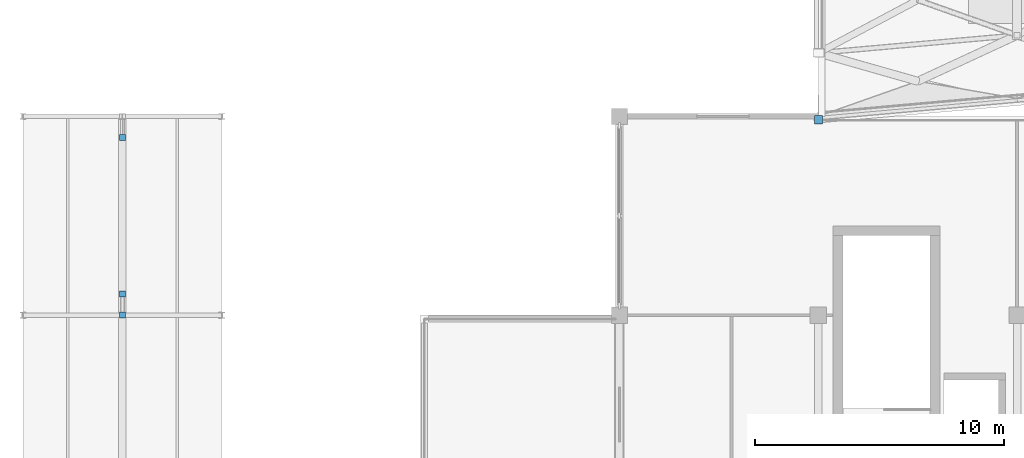
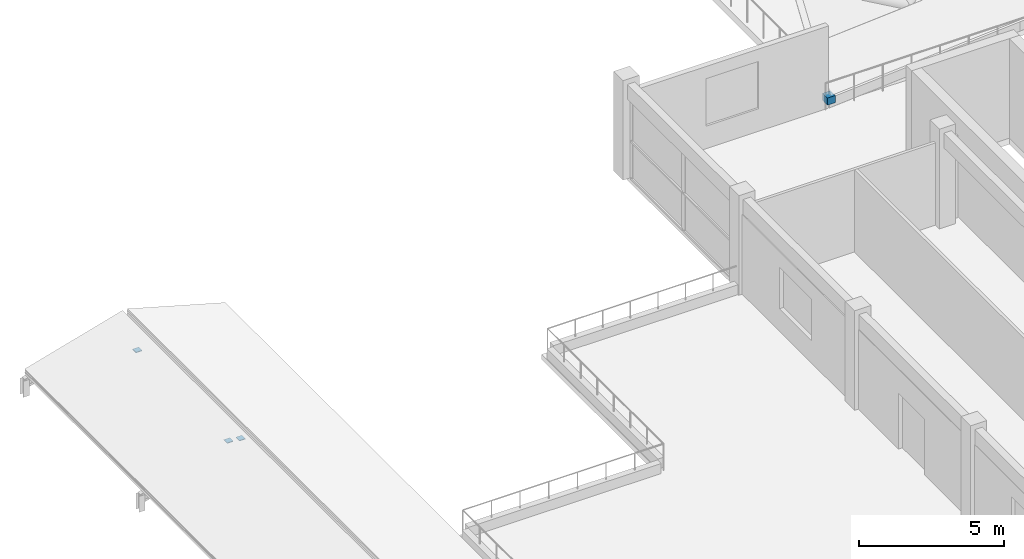
# One storey, part 52 of 67: 4 discrete accessories.
"""IFC4 building model written with IfcOpenShell, lengths in metres."""

import ifcopenshell
import ifcopenshell.guid

model = None  # the IFC model being written
_history = None  # IfcOwnerHistory: only IFC2X3 demands one
_inside = {}  # id of a spatial element -> (the spatial element, [elements in it])
_under = {}  # id of a project, library or spatial element -> (it, [spatial elements below it])
_declared = {}  # id of a project -> (the project, [libraries it declares])
_typed = {}  # id of a type object -> (the type object, [elements of that type])
_made_of = {}  # id of a material, layer set ... -> (it, [elements and type objects made of it])


def new_model(schema):
    """Start an empty IFC model of exactly this schema.

    Asked for "IFC4X3", IfcOpenShell would pick the latest addendum, in which some entities
    have other attributes; the version numbers below select the first issue.
    IFC2X3 requires an IfcOwnerHistory on every rooted entity: one is made here for all.
    """
    global model, _history
    if schema == "IFC4X3":
        model = ifcopenshell.file(schema_version=(4, 3, 0, 0))
    else:
        model = ifcopenshell.file(schema=schema)
    _inside.clear()
    _under.clear()
    _declared.clear()
    _typed.clear()
    _made_of.clear()
    _history = None
    if model.schema == "IFC2X3":
        org = make("IfcOrganization", Name="unknown")
        user = make(
            "IfcPersonAndOrganization",
            ThePerson=make("IfcPerson", FamilyName="unknown"),
            TheOrganization=org,
        )
        app = make(
            "IfcApplication",
            ApplicationDeveloper=org,
            Version="unknown",
            ApplicationFullName="unknown",
            ApplicationIdentifier="unknown",
        )
        _history = make(
            "IfcOwnerHistory",
            OwningUser=user,
            OwningApplication=app,
            ChangeAction="ADDED",
            CreationDate=0,
        )
    return model


def make(cls, **values):
    """One entity of the class cls with the attributes given. An attribute that is None is left unset."""
    return model.create_entity(
        cls, **{name: value for name, value in values.items() if value is not None}
    )


def rooted(cls, **values):
    """An entity with a GlobalId (a new one), such as an element, a storey or a relation."""
    return make(cls, GlobalId=ifcopenshell.guid.new(), OwnerHistory=_history, **values)


def si_unit(unit_type, name, prefix=None):
    """IfcSIUnit, for example si_unit("LENGTHUNIT", "METRE", prefix="MILLI")."""
    return make("IfcSIUnit", UnitType=unit_type, Prefix=prefix, Name=name)


def assignment(units):
    """IfcUnitAssignment: the units of a project."""
    return None if units is None else make("IfcUnitAssignment", Units=units)


def point(xyz):
    """IfcCartesianPoint."""
    return None if xyz is None else make("IfcCartesianPoint", Coordinates=xyz)


def direction(xyz):
    """IfcDirection."""
    return None if xyz is None else make("IfcDirection", DirectionRatios=xyz)


def frame(location, z_axis=None, x_axis=None):
    """IfcAxis2Placement3D, a coordinate frame: its origin and axes. An axis left out is left unset."""
    return make(
        "IfcAxis2Placement3D",
        Location=point(location),
        Axis=direction(z_axis),
        RefDirection=direction(x_axis),
    )


def frame_2d(location, x_axis=None):
    """IfcAxis2Placement2D, a coordinate frame in the plane: its origin and x axis."""
    return make(
        "IfcAxis2Placement2D", Location=point(location), RefDirection=direction(x_axis)
    )


def origin():
    """The frame at (0, 0, 0) with its axes left unset."""
    return frame((0.0, 0.0, 0.0))


def origin_2d():
    """The frame at (0, 0) in the plane with its x axis left unset."""
    return frame_2d((0.0, 0.0))


def place(relative_to, where):
    """IfcLocalPlacement: puts the frame where relative to a parent placement (None: the world)."""
    return make(
        "IfcLocalPlacement", PlacementRelTo=relative_to, RelativePlacement=where
    )


def context(
    kind, dimensions, precision=None, world=None, true_north=None, identifier=None
):
    """IfcGeometricRepresentationContext, for example the 3D "Model" context."""
    return make(
        "IfcGeometricRepresentationContext",
        ContextIdentifier=identifier,
        ContextType=kind,
        CoordinateSpaceDimension=dimensions,
        Precision=precision,
        WorldCoordinateSystem=world,
        TrueNorth=true_north,
    )


def subcontext(parent, identifier, kind, view, scale=None):
    """IfcGeometricRepresentationSubContext, for example "Body" below "Model"."""
    return make(
        "IfcGeometricRepresentationSubContext",
        ContextIdentifier=identifier,
        ContextType=kind,
        ParentContext=parent,
        TargetScale=scale,
        TargetView=view,
    )


def project(units=None, contexts=None):
    """IfcProject with its units and contexts."""
    return rooted(
        "IfcProject",
        Name="project",
        RepresentationContexts=contexts,
        UnitsInContext=assignment(units),
    )


def spatial(cls, under=None, at=None, **own):
    """A site, building, storey or space (cls), placed at a placement, below another one or the project."""
    s = rooted(cls, ObjectPlacement=at, **own)
    if under is not None:
        _under.setdefault(under.id(), (under, []))[1].append(s)
    return s


def profile(cls, at=None, kind="AREA", **sizes):
    """A parametric profile (cls). Its sizes go by their IFC names, for example OverallWidth=200.0."""
    return make(cls, ProfileType=kind, Position=at, **sizes)


def rectangle(**sizes):
    """IfcRectangleProfileDef."""
    return profile("IfcRectangleProfileDef", **sizes)


def extrude(swept, where, along, depth):
    """IfcExtrudedAreaSolid: the profile swept, set in the frame where, extruded along a direction by depth."""
    return make(
        "IfcExtrudedAreaSolid",
        SweptArea=swept,
        Position=where,
        ExtrudedDirection=direction(along),
        Depth=depth,
    )


def shape(context_of_items, identifier, shape_type, items):
    """IfcShapeRepresentation: the items that make up one representation, for example the "Body"."""
    return make(
        "IfcShapeRepresentation",
        ContextOfItems=context_of_items,
        RepresentationIdentifier=identifier,
        RepresentationType=shape_type,
        Items=items,
    )


def material(Name=None, Category=None):
    """IfcMaterial."""
    return make("IfcMaterial", Name=Name, Category=Category)


def made_of(thing, what):
    """Note that an element or type object is made of a material, layer set ...; save() writes the relation."""
    if what is not None:
        _made_of.setdefault(what.id(), (what, []))[1].append(thing)
    return thing


def type_object(cls, material=None, **own):
    """A type object (cls), such as IfcWallType, which elements share."""
    return made_of(rooted(cls, **own), material)


def element(
    cls,
    number,
    at=None,
    inside=None,
    cuts=None,
    type_object=None,
    material=None,
    context=None,
    identifier="Body",
    shape_type=None,
    held_by="IfcProductDefinitionShape",
    body=None,
    shapes=None,
    **own,
):
    """One element of the class cls, such as IfcWall. Its Tag is "e" and its number.

    at: its placement. inside: the storey or other place that contains it. cuts: it is an
    opening in that element (IfcRelVoidsElement). A single representation is given by context,
    identifier, shape_type and body (its items); several are given by shapes. held_by: the class
    of the entity that holds the representations. save() writes the other relations.
    """
    e = rooted(cls, Tag="e%d" % number, ObjectPlacement=at, **own)
    if body is not None:
        shapes = [shape(context, identifier, shape_type, body)]
    if shapes is not None:
        e.Representation = make(held_by, Representations=shapes)
    if inside is not None:
        _inside.setdefault(inside.id(), (inside, []))[1].append(e)
    if cuts is not None:
        rooted(
            "IfcRelVoidsElement", RelatingBuildingElement=cuts, RelatedOpeningElement=e
        )
    if type_object is not None:
        _typed.setdefault(type_object.id(), (type_object, []))[1].append(e)
    return made_of(e, material)


def aggregate(whole, parts):
    """IfcRelAggregates: a whole, such as a stair, and the parts it consists of."""
    return rooted("IfcRelAggregates", RelatingObject=whole, RelatedObjects=parts)


def save(model, path):
    """Write the relations noted so far, then the file.

    IfcRelAggregates (storeys below a building ...), IfcRelContainedInSpatialStructure (elements
    in a storey), IfcRelDefinesByType, IfcRelAssociatesMaterial and IfcRelDeclares: one each for
    every whole, place, type object, material and project.
    """
    for whole, parts in _under.values():
        aggregate(whole, parts)
    for where, things in _inside.values():
        rooted(
            "IfcRelContainedInSpatialStructure",
            RelatedElements=things,
            RelatingStructure=where,
        )
    for kind, things in _typed.values():
        rooted("IfcRelDefinesByType", RelatedObjects=things, RelatingType=kind)
    for what, things in _made_of.values():
        rooted("IfcRelAssociatesMaterial", RelatedObjects=things, RelatingMaterial=what)
    for by, libraries in _declared.values():
        rooted("IfcRelDeclares", RelatingContext=by, RelatedDefinitions=libraries)
    model.write(path)


model = new_model("IFC4")

# Units and contexts
model_context = context("Model", 3, precision=1e-05, world=origin(), true_north=direction((0.0, 1.0)))
body_context = subcontext(model_context, "Body", "Model", "MODEL_VIEW")
ifc_project = project(units=[si_unit("LENGTHUNIT", "METRE"), si_unit("AREAUNIT", "SQUARE_METRE"), si_unit("VOLUMEUNIT", "CUBIC_METRE"), si_unit("PLANEANGLEUNIT", "RADIAN"), si_unit("MASSUNIT", "GRAM", prefix="KILO")], contexts=[model_context])

# Site, building, storey
site_placement = place(None, origin())
site = spatial("IfcSite", under=ifc_project, at=site_placement, CompositionType="ELEMENT")
building_placement = place(site_placement, origin())
building = spatial("IfcBuilding", under=site, at=building_placement, Name="Kenh Van Central Station", CompositionType="ELEMENT")
storey_placement = place(building_placement, frame((0.0, 0.0, 10.800048828125)))
storey = spatial("IfcBuildingStorey", under=building, at=storey_placement, Name="L02", CompositionType="ELEMENT", Elevation=10.800048828125)

# Discrete accessories
ifc_material_1 = material(Name="White fluoropolymer structural steel S355", Category="steel")
discrete_accessory_type_1 = type_object("IfcDiscreteAccessoryType", Name="ACC-BRKT-STL", PredefinedType="BRACKET", material=ifc_material_1)
discrete_accessory_placement = place(storey_placement, frame((32.0, 63.8701171875, 0.2900390625), z_axis=(0.0, 0.0, 1.0), x_axis=(1.0, 0.0, 0.0)))
element("IfcDiscreteAccessory", 1, at=discrete_accessory_placement, inside=storey, type_object=discrete_accessory_type_1, Name="Barrel curb bracket 01-1", PredefinedType="BRACKET", context=body_context, shape_type="SweptSolid", body=[
    extrude(rectangle(XDim=0.320068359375, YDim=0.340087890625, at=origin_2d()), origin(), (0.0, 0.0, 1.0), 0.300048828125),
])
ifc_material_2 = material(Name="Structural steel S355JR", Category="steel")
discrete_accessory_type_2 = type_object("IfcDiscreteAccessoryType", Name="ACC-END-NODE", PredefinedType="BRACKET", material=ifc_material_2)
for number, where, z_axis, x_axis, name in (
    (2, (4.0, 63.14990234375, 0.038330078125), (0.0, 0.0, 1.0), (1.0, 0.0, 0.0), "L02 brace end connection node plate 0371"),
    (3, (4.0, 56.85009765625, 0.038330078125), (0.0, 0.0, 1.0), (1.0, 0.0, 0.0), "L02 brace end connection node plate 0375"),
    (4, (4.0, 56.0, 0.658203125), (0.0, 0.0, 1.0), (1.0, 0.0, 0.0), "L02 brace end connection node plate 0376"),
):
    element("IfcDiscreteAccessory", number, at=place(storey_placement, frame(where, z_axis=z_axis, x_axis=x_axis)), inside=storey, type_object=discrete_accessory_type_2, Name=name, PredefinedType="BRACKET", context=body_context, shape_type="SweptSolid", body=[
        extrude(rectangle(XDim=0.239990234375, YDim=0.239990234375, at=origin_2d()), origin(), (0.0, 0.0, 1.0), 0.02490234375),
    ])

save(model, "model.ifc")
